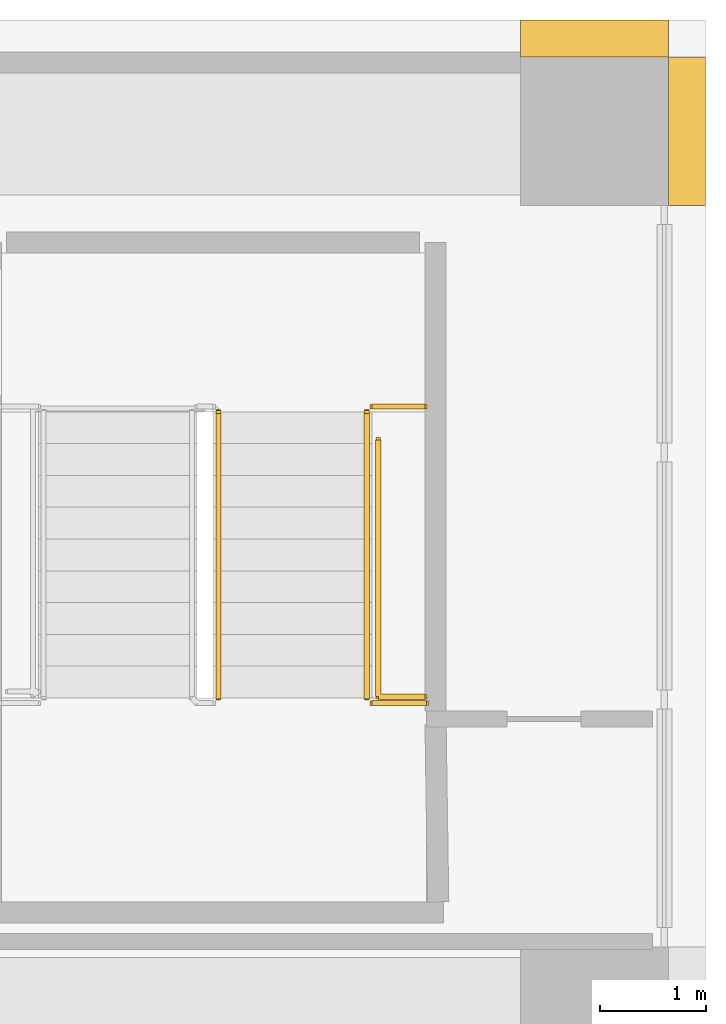
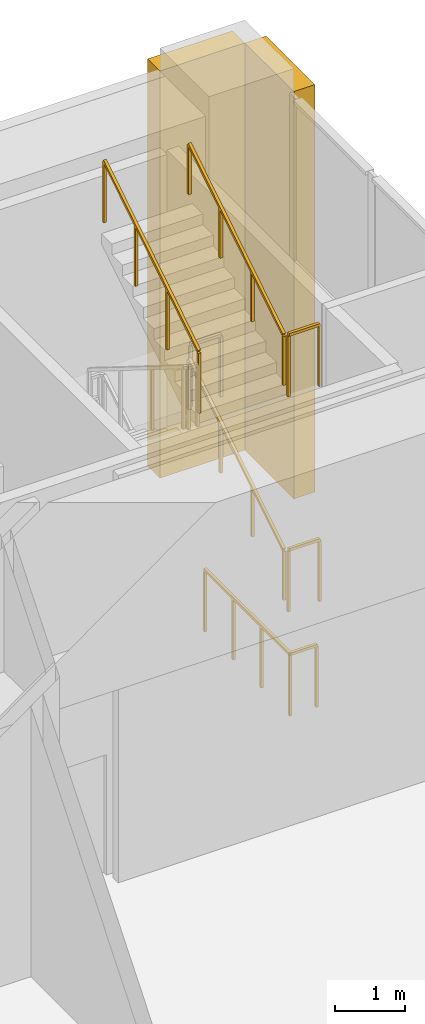
# One storey, part 29 of 29: 7 railings, 2 coverings.
"""IFC4 building model written with IfcOpenShell, lengths in metres."""

import ifcopenshell
import ifcopenshell.guid

model = None  # the IFC model being written
_history = None  # IfcOwnerHistory: only IFC2X3 demands one
_inside = {}  # id of a spatial element -> (the spatial element, [elements in it])
_under = {}  # id of a project, library or spatial element -> (it, [spatial elements below it])
_declared = {}  # id of a project -> (the project, [libraries it declares])
_typed = {}  # id of a type object -> (the type object, [elements of that type])
_made_of = {}  # id of a material, layer set ... -> (it, [elements and type objects made of it])


def new_model(schema):
    """Start an empty IFC model of exactly this schema.

    Asked for "IFC4X3", IfcOpenShell would pick the latest addendum, in which some entities
    have other attributes; the version numbers below select the first issue.
    IFC2X3 requires an IfcOwnerHistory on every rooted entity: one is made here for all.
    """
    global model, _history
    if schema == "IFC4X3":
        model = ifcopenshell.file(schema_version=(4, 3, 0, 0))
    else:
        model = ifcopenshell.file(schema=schema)
    _inside.clear()
    _under.clear()
    _declared.clear()
    _typed.clear()
    _made_of.clear()
    _history = None
    if model.schema == "IFC2X3":
        org = make("IfcOrganization", Name="unknown")
        user = make(
            "IfcPersonAndOrganization",
            ThePerson=make("IfcPerson", FamilyName="unknown"),
            TheOrganization=org,
        )
        app = make(
            "IfcApplication",
            ApplicationDeveloper=org,
            Version="unknown",
            ApplicationFullName="unknown",
            ApplicationIdentifier="unknown",
        )
        _history = make(
            "IfcOwnerHistory",
            OwningUser=user,
            OwningApplication=app,
            ChangeAction="ADDED",
            CreationDate=0,
        )
    return model


def make(cls, **values):
    """One entity of the class cls with the attributes given. An attribute that is None is left unset."""
    return model.create_entity(
        cls, **{name: value for name, value in values.items() if value is not None}
    )


def rooted(cls, **values):
    """An entity with a GlobalId (a new one), such as an element, a storey or a relation."""
    return make(cls, GlobalId=ifcopenshell.guid.new(), OwnerHistory=_history, **values)


def si_unit(unit_type, name, prefix=None):
    """IfcSIUnit, for example si_unit("LENGTHUNIT", "METRE", prefix="MILLI")."""
    return make("IfcSIUnit", UnitType=unit_type, Prefix=prefix, Name=name)


def assignment(units):
    """IfcUnitAssignment: the units of a project."""
    return None if units is None else make("IfcUnitAssignment", Units=units)


def point(xyz):
    """IfcCartesianPoint."""
    return None if xyz is None else make("IfcCartesianPoint", Coordinates=xyz)


def direction(xyz):
    """IfcDirection."""
    return None if xyz is None else make("IfcDirection", DirectionRatios=xyz)


def frame(location, z_axis=None, x_axis=None):
    """IfcAxis2Placement3D, a coordinate frame: its origin and axes. An axis left out is left unset."""
    return make(
        "IfcAxis2Placement3D",
        Location=point(location),
        Axis=direction(z_axis),
        RefDirection=direction(x_axis),
    )


def frame_2d(location, x_axis=None):
    """IfcAxis2Placement2D, a coordinate frame in the plane: its origin and x axis."""
    return make(
        "IfcAxis2Placement2D", Location=point(location), RefDirection=direction(x_axis)
    )


def origin():
    """The frame at (0, 0, 0) with its axes left unset."""
    return frame((0.0, 0.0, 0.0))


def origin_2d():
    """The frame at (0, 0) in the plane with its x axis left unset."""
    return frame_2d((0.0, 0.0))


def place(relative_to, where):
    """IfcLocalPlacement: puts the frame where relative to a parent placement (None: the world)."""
    return make(
        "IfcLocalPlacement", PlacementRelTo=relative_to, RelativePlacement=where
    )


def context(
    kind, dimensions, precision=None, world=None, true_north=None, identifier=None
):
    """IfcGeometricRepresentationContext, for example the 3D "Model" context."""
    return make(
        "IfcGeometricRepresentationContext",
        ContextIdentifier=identifier,
        ContextType=kind,
        CoordinateSpaceDimension=dimensions,
        Precision=precision,
        WorldCoordinateSystem=world,
        TrueNorth=true_north,
    )


def subcontext(parent, identifier, kind, view, scale=None):
    """IfcGeometricRepresentationSubContext, for example "Body" below "Model"."""
    return make(
        "IfcGeometricRepresentationSubContext",
        ContextIdentifier=identifier,
        ContextType=kind,
        ParentContext=parent,
        TargetScale=scale,
        TargetView=view,
    )


def project(units=None, contexts=None):
    """IfcProject with its units and contexts."""
    return rooted(
        "IfcProject",
        Name="project",
        RepresentationContexts=contexts,
        UnitsInContext=assignment(units),
    )


def spatial(cls, under=None, at=None, **own):
    """A site, building, storey or space (cls), placed at a placement, below another one or the project."""
    s = rooted(cls, ObjectPlacement=at, **own)
    if under is not None:
        _under.setdefault(under.id(), (under, []))[1].append(s)
    return s


def polyline(points):
    """IfcPolyline through the points."""
    return make("IfcPolyline", Points=[point(p) for p in points])


def profile(cls, at=None, kind="AREA", **sizes):
    """A parametric profile (cls). Its sizes go by their IFC names, for example OverallWidth=200.0."""
    return make(cls, ProfileType=kind, Position=at, **sizes)


def rectangle(**sizes):
    """IfcRectangleProfileDef."""
    return profile("IfcRectangleProfileDef", **sizes)


def outline(outer, holes=None, kind="AREA"):
    """IfcArbitraryClosedProfileDef: a profile drawn as a closed curve; with holes, ...WithVoids."""
    if holes is None:
        return make("IfcArbitraryClosedProfileDef", ProfileType=kind, OuterCurve=outer)
    return make(
        "IfcArbitraryProfileDefWithVoids",
        ProfileType=kind,
        OuterCurve=outer,
        InnerCurves=holes,
    )


def extrude(swept, where, along, depth):
    """IfcExtrudedAreaSolid: the profile swept, set in the frame where, extruded along a direction by depth."""
    return make(
        "IfcExtrudedAreaSolid",
        SweptArea=swept,
        Position=where,
        ExtrudedDirection=direction(along),
        Depth=depth,
    )


def shape(context_of_items, identifier, shape_type, items):
    """IfcShapeRepresentation: the items that make up one representation, for example the "Body"."""
    return make(
        "IfcShapeRepresentation",
        ContextOfItems=context_of_items,
        RepresentationIdentifier=identifier,
        RepresentationType=shape_type,
        Items=items,
    )


def material(Name=None, Category=None):
    """IfcMaterial."""
    return make("IfcMaterial", Name=Name, Category=Category)


def made_of(thing, what):
    """Note that an element or type object is made of a material, layer set ...; save() writes the relation."""
    if what is not None:
        _made_of.setdefault(what.id(), (what, []))[1].append(thing)
    return thing


def type_object(cls, material=None, **own):
    """A type object (cls), such as IfcWallType, which elements share."""
    return made_of(rooted(cls, **own), material)


def element(
    cls,
    number,
    at=None,
    inside=None,
    cuts=None,
    type_object=None,
    material=None,
    context=None,
    identifier="Body",
    shape_type=None,
    held_by="IfcProductDefinitionShape",
    body=None,
    shapes=None,
    **own,
):
    """One element of the class cls, such as IfcWall. Its Tag is "e" and its number.

    at: its placement. inside: the storey or other place that contains it. cuts: it is an
    opening in that element (IfcRelVoidsElement). A single representation is given by context,
    identifier, shape_type and body (its items); several are given by shapes. held_by: the class
    of the entity that holds the representations. save() writes the other relations.
    """
    e = rooted(cls, Tag="e%d" % number, ObjectPlacement=at, **own)
    if body is not None:
        shapes = [shape(context, identifier, shape_type, body)]
    if shapes is not None:
        e.Representation = make(held_by, Representations=shapes)
    if inside is not None:
        _inside.setdefault(inside.id(), (inside, []))[1].append(e)
    if cuts is not None:
        rooted(
            "IfcRelVoidsElement", RelatingBuildingElement=cuts, RelatedOpeningElement=e
        )
    if type_object is not None:
        _typed.setdefault(type_object.id(), (type_object, []))[1].append(e)
    return made_of(e, material)


def aggregate(whole, parts):
    """IfcRelAggregates: a whole, such as a stair, and the parts it consists of."""
    return rooted("IfcRelAggregates", RelatingObject=whole, RelatedObjects=parts)


def save(model, path):
    """Write the relations noted so far, then the file.

    IfcRelAggregates (storeys below a building ...), IfcRelContainedInSpatialStructure (elements
    in a storey), IfcRelDefinesByType, IfcRelAssociatesMaterial and IfcRelDeclares: one each for
    every whole, place, type object, material and project.
    """
    for whole, parts in _under.values():
        aggregate(whole, parts)
    for where, things in _inside.values():
        rooted(
            "IfcRelContainedInSpatialStructure",
            RelatedElements=things,
            RelatingStructure=where,
        )
    for kind, things in _typed.values():
        rooted("IfcRelDefinesByType", RelatedObjects=things, RelatingType=kind)
    for what, things in _made_of.values():
        rooted("IfcRelAssociatesMaterial", RelatedObjects=things, RelatingMaterial=what)
    for by, libraries in _declared.values():
        rooted("IfcRelDeclares", RelatingContext=by, RelatedDefinitions=libraries)
    model.write(path)


model = new_model("IFC4")

# Units and contexts
model_context = context("Model", 3, precision=1e-05, world=origin(), true_north=direction((0.0, 1.0)))
body_context = subcontext(model_context, "Body", "Model", "MODEL_VIEW")
ifc_project = project(units=[si_unit("LENGTHUNIT", "METRE"), si_unit("AREAUNIT", "SQUARE_METRE"), si_unit("VOLUMEUNIT", "CUBIC_METRE"), si_unit("PLANEANGLEUNIT", "RADIAN"), si_unit("MASSUNIT", "GRAM", prefix="KILO")], contexts=[model_context])

# Site, building, storey
site_placement = place(None, origin())
site = spatial("IfcSite", under=ifc_project, at=site_placement, CompositionType="ELEMENT")
building_placement = place(site_placement, origin())
building = spatial("IfcBuilding", under=site, at=building_placement, Name="Vermilion Ogive Tower", CompositionType="ELEMENT")
storey_placement = place(building_placement, frame((0.0, 0.0, 12.5)))
storey = spatial("IfcBuildingStorey", under=building, at=storey_placement, Name="L02", CompositionType="ELEMENT", Elevation=12.5)

# Railings
ifc_material_1 = material(Name="Steel S355 painted", Category="steel")
railing_type_1 = type_object("IfcRailingType", Name="Stair guard 1100", PredefinedType="GUARDRAIL", material=ifc_material_1)
railing_1_placement = place(storey_placement, frame((46.85009765625, 24.050048828125, 5.8125)))
element("IfcRailing", 1, at=railing_1_placement, inside=storey, type_object=railing_type_1, Name="L02 PEN stair guard 7", PredefinedType="GUARDRAIL", context=body_context, shape_type="SweptSolid", body=[
    extrude(rectangle(XDim=0.048095703125, YDim=0.048095703125, at=origin_2d()), frame((0.0, 0.0, 1.076171875), z_axis=(0.0, 0.847993996163, 0.530005832488), x_axis=(-1.0, 0.0, 0.0)), (0.0, 0.0, 1.0), 3.183837890625),
    extrude(rectangle(XDim=0.0419921875, YDim=0.0419921875, at=origin_2d()), origin(), (0.0, 0.0, 1.0), 1.052001953125),
    extrude(rectangle(XDim=0.0419921875, YDim=0.0419921875, at=origin_2d()), frame((0.0, 0.89990234375, 0.5625)), (0.0, 0.0, 1.0), 1.052001953125),
    extrude(rectangle(XDim=0.0419921875, YDim=0.0419921875, at=origin_2d()), frame((0.0, 1.800048828125, 1.125)), (0.0, 0.0, 1.0), 1.052001953125),
    extrude(rectangle(XDim=0.0419921875, YDim=0.0419921875, at=origin_2d()), frame((0.0, 2.699951171875, 1.6875)), (0.0, 0.0, 1.0), 1.052001953125),
])
railing_2_placement = place(storey_placement, frame((48.300048828125, 24.0, 1.875)))
element("IfcRailing", 2, at=railing_2_placement, inside=storey, type_object=railing_type_1, Name="L02 landing guard", PredefinedType="GUARDRAIL", context=body_context, shape_type="SweptSolid", body=[
    extrude(rectangle(XDim=0.048095703125, YDim=0.048095703125, at=origin_2d()), frame((0.0, 0.0, 1.076171875), z_axis=(1.0, 0.0, 0.0), x_axis=(0.0, 1.0, 0.0)), (0.0, 0.0, 1.0), 0.512451171875),
    extrude(rectangle(XDim=0.0419921875, YDim=0.0419921875, at=origin_2d()), origin(), (0.0, 0.0, 1.0), 1.052001953125),
    extrude(rectangle(XDim=0.0419921875, YDim=0.0419921875, at=origin_2d()), frame((0.512451171875, 0.0, 0.0)), (0.0, 0.0, 1.0), 1.052001953125),
])
railing_3_placement = place(storey_placement, frame((48.300048828125, 26.800048828125, 3.75)))
element("IfcRailing", 3, at=railing_3_placement, inside=storey, type_object=railing_type_1, Name="L02 landing guard", PredefinedType="GUARDRAIL", context=body_context, shape_type="SweptSolid", body=[
    extrude(rectangle(XDim=0.048095703125, YDim=0.048095703125, at=origin_2d()), frame((0.0, 0.0, 1.076171875), z_axis=(1.0, 0.0, 0.0), x_axis=(0.0, 1.0, 0.0)), (0.0, 0.0, 1.0), 0.499755859375),
    extrude(rectangle(XDim=0.0419921875, YDim=0.0419921875, at=origin_2d()), origin(), (0.0, 0.0, 1.0), 1.052001953125),
    extrude(rectangle(XDim=0.0419921875, YDim=0.0419921875, at=origin_2d()), frame((0.499755859375, 0.0, 0.0)), (0.0, 0.0, 1.0), 1.052001953125),
])
railing_4_placement = place(storey_placement, frame((48.300048828125, 24.0, 5.625)))
element("IfcRailing", 4, at=railing_4_placement, inside=storey, type_object=railing_type_1, Name="L02 landing guard", PredefinedType="GUARDRAIL", context=body_context, shape_type="SweptSolid", body=[
    extrude(rectangle(XDim=0.048095703125, YDim=0.048095703125, at=origin_2d()), frame((0.0, 0.0, 1.076171875), z_axis=(1.0, 0.0, 0.0), x_axis=(0.0, 1.0, 0.0)), (0.0, 0.0, 1.0), 0.512451171875),
    extrude(rectangle(XDim=0.0419921875, YDim=0.0419921875, at=origin_2d()), origin(), (0.0, 0.0, 1.0), 1.052001953125),
    extrude(rectangle(XDim=0.0419921875, YDim=0.0419921875, at=origin_2d()), frame((0.512451171875, 0.0, 0.0)), (0.0, 0.0, 1.0), 1.052001953125),
])
railing_5_placement = place(storey_placement, frame((48.359130859375, 26.485107421875, 0.0)))
element("IfcRailing", 5, at=railing_5_placement, inside=storey, type_object=railing_type_1, Name="L02 stair opening guard", PredefinedType="GUARDRAIL", context=body_context, shape_type="SweptSolid", body=[
    extrude(rectangle(XDim=0.048095703125, YDim=0.048095703125, at=origin_2d()), frame((0.0, 0.0, 1.076171875), z_axis=(0.0, -1.0, 0.0), x_axis=(1.0, 0.0, 0.0)), (0.0, 0.0, 1.0), 2.42431640625),
    extrude(rectangle(XDim=0.048095703125, YDim=0.048095703125, at=origin_2d()), frame((0.0, -2.42431640625, 1.076171875), z_axis=(1.0, 0.0, 0.0), x_axis=(0.0, 1.0, 0.0)), (0.0, 0.0, 1.0), 0.439697265625),
    extrude(rectangle(XDim=0.0419921875, YDim=0.0419921875, at=origin_2d()), origin(), (0.0, 0.0, 1.0), 1.052001953125),
    extrude(rectangle(XDim=0.0419921875, YDim=0.0419921875, at=origin_2d()), frame((0.0, -0.80810546875, 0.0)), (0.0, 0.0, 1.0), 1.052001953125),
    extrude(rectangle(XDim=0.0419921875, YDim=0.0419921875, at=origin_2d()), frame((0.0, -1.6162109375, 0.0)), (0.0, 0.0, 1.0), 1.052001953125),
    extrude(rectangle(XDim=0.0419921875, YDim=0.0419921875, at=origin_2d()), frame((0.0, -2.42431640625, 0.0)), (0.0, 0.0, 1.0), 1.052001953125),
    extrude(rectangle(XDim=0.0419921875, YDim=0.0419921875, at=origin_2d()), frame((0.439697265625, -2.42431640625, 0.0)), (0.0, 0.0, 1.0), 1.052001953125),
])
ifc_material_2 = material(Name="Stainless steel", Category="steel")
railing_type_2 = type_object("IfcRailingType", Name="Stair handrail 900", PredefinedType="HANDRAIL", material=ifc_material_2)
for number, where, name in (
    (6, (48.25, 24.050048828125, 2.0625), "L02 PEN stair handrail 2"),
    (7, (48.25, 24.050048828125, 5.8125), "L02 PEN stair handrail 4"),
):
    element("IfcRailing", number, at=place(storey_placement, frame(where)), inside=storey, type_object=railing_type_2, Name=name, PredefinedType="HANDRAIL", context=body_context, shape_type="SweptSolid", body=[
        extrude(rectangle(XDim=0.048095703125, YDim=0.048095703125, at=origin_2d()), frame((0.0, 0.0, 0.8759765625), z_axis=(0.0, 0.847993996163, 0.530005832488), x_axis=(-1.0, 0.0, 0.0)), (0.0, 0.0, 1.0), 3.183837890625),
        extrude(rectangle(XDim=0.0419921875, YDim=0.0419921875, at=origin_2d()), origin(), (0.0, 0.0, 1.0), 0.851806640625),
        extrude(rectangle(XDim=0.0419921875, YDim=0.0419921875, at=origin_2d()), frame((0.0, 0.89990234375, 0.5625)), (0.0, 0.0, 1.0), 0.851806640625),
        extrude(rectangle(XDim=0.0419921875, YDim=0.0419921875, at=origin_2d()), frame((0.0, 1.800048828125, 1.125)), (0.0, 0.0, 1.0), 0.851806640625),
        extrude(rectangle(XDim=0.0419921875, YDim=0.0419921875, at=origin_2d()), frame((0.0, 2.699951171875, 1.6875)), (0.0, 0.0, 1.0), 0.851806640625),
    ])

# Coverings
ifc_material_3 = material(Name="Stone cladding", Category="masonry")
covering_type = type_object("IfcCoveringType", Name="Stone pier", PredefinedType="CLADDING", material=ifc_material_3)
covering_1_placement = place(storey_placement, origin())
element("IfcCovering", 8, at=covering_1_placement, inside=storey, type_object=covering_type, Name="Stone pier P+504+294E", PredefinedType="CLADDING", context=body_context, shape_type="SweptSolid", body=[
    extrude(outline(polyline([(51.10009765625, 30.10009765625), (51.10009765625, 30.10009765625), (51.449951171875, 30.10009765625), (51.449951171875, 28.699951171875), (51.10009765625, 28.699951171875), (51.10009765625, 28.699951171875), (51.10009765625, 30.10009765625)])), origin(), (0.0, 0.0, 1.0), 7.10009765625),
])
covering_2_placement = place(storey_placement, origin())
element("IfcCovering", 9, at=covering_2_placement, inside=storey, type_object=covering_type, Name="Stone pier P+504+294N", PredefinedType="CLADDING", context=body_context, shape_type="SweptSolid", body=[
    extrude(outline(polyline([(51.10009765625, 30.449951171875), (51.10009765625, 30.10009765625), (51.10009765625, 30.10009765625), (49.699951171875, 30.10009765625), (49.699951171875, 30.449951171875), (51.10009765625, 30.449951171875)])), origin(), (0.0, 0.0, 1.0), 7.10009765625),
])

save(model, "model.ifc")
